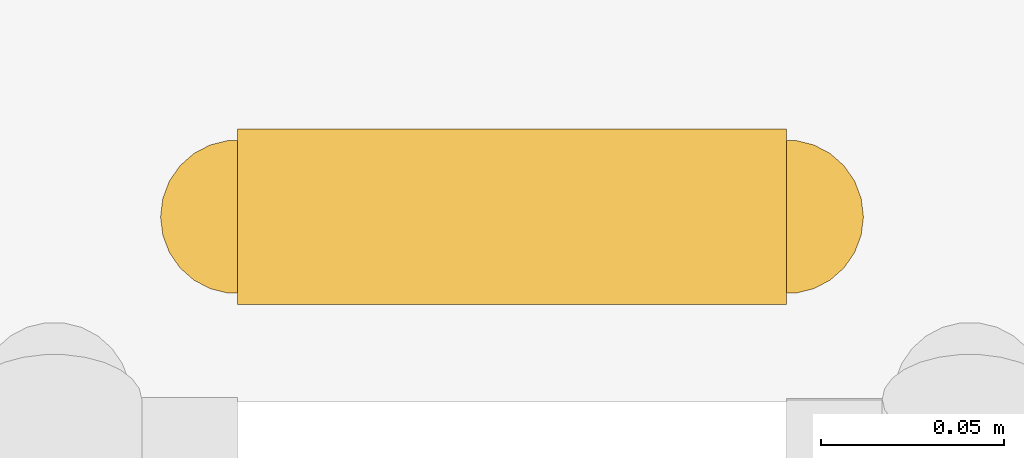
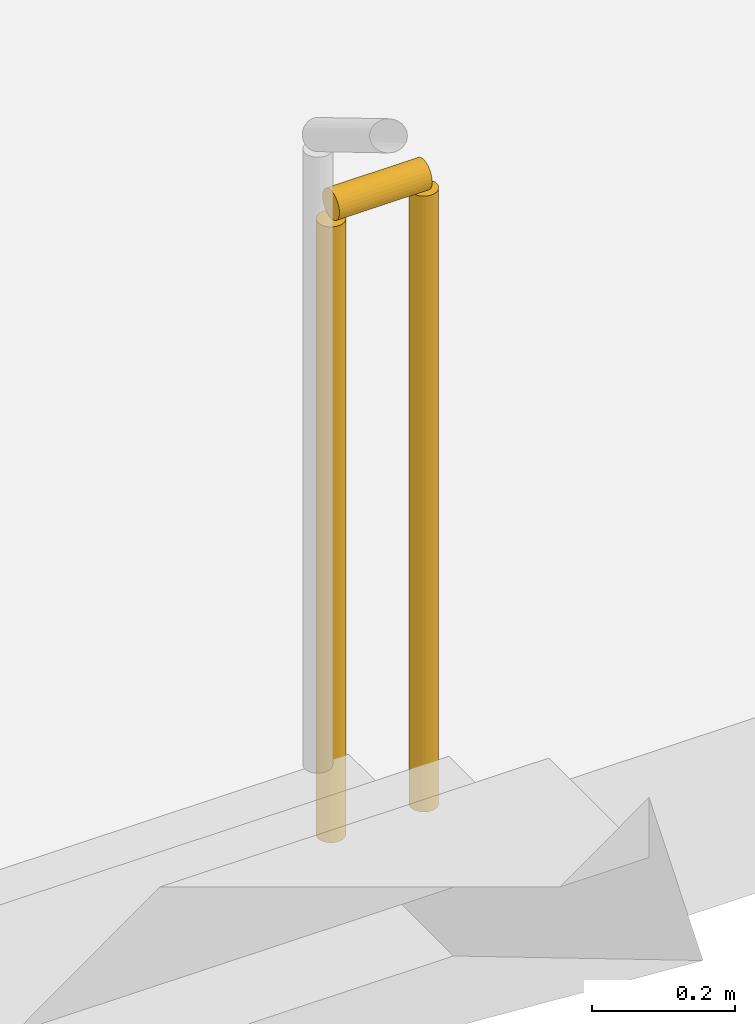
# One storey, part 32 of 32: 1 railing.
"""IFC4 building model written with IfcOpenShell, lengths in metres."""

import ifcopenshell
import ifcopenshell.guid

model = None  # the IFC model being written
_history = None  # IfcOwnerHistory: only IFC2X3 demands one
_inside = {}  # id of a spatial element -> (the spatial element, [elements in it])
_under = {}  # id of a project, library or spatial element -> (it, [spatial elements below it])
_declared = {}  # id of a project -> (the project, [libraries it declares])
_typed = {}  # id of a type object -> (the type object, [elements of that type])
_made_of = {}  # id of a material, layer set ... -> (it, [elements and type objects made of it])


def new_model(schema):
    """Start an empty IFC model of exactly this schema.

    Asked for "IFC4X3", IfcOpenShell would pick the latest addendum, in which some entities
    have other attributes; the version numbers below select the first issue.
    IFC2X3 requires an IfcOwnerHistory on every rooted entity: one is made here for all.
    """
    global model, _history
    if schema == "IFC4X3":
        model = ifcopenshell.file(schema_version=(4, 3, 0, 0))
    else:
        model = ifcopenshell.file(schema=schema)
    _inside.clear()
    _under.clear()
    _declared.clear()
    _typed.clear()
    _made_of.clear()
    _history = None
    if model.schema == "IFC2X3":
        org = make("IfcOrganization", Name="unknown")
        user = make(
            "IfcPersonAndOrganization",
            ThePerson=make("IfcPerson", FamilyName="unknown"),
            TheOrganization=org,
        )
        app = make(
            "IfcApplication",
            ApplicationDeveloper=org,
            Version="unknown",
            ApplicationFullName="unknown",
            ApplicationIdentifier="unknown",
        )
        _history = make(
            "IfcOwnerHistory",
            OwningUser=user,
            OwningApplication=app,
            ChangeAction="ADDED",
            CreationDate=0,
        )
    return model


def make(cls, **values):
    """One entity of the class cls with the attributes given. An attribute that is None is left unset."""
    return model.create_entity(
        cls, **{name: value for name, value in values.items() if value is not None}
    )


def rooted(cls, **values):
    """An entity with a GlobalId (a new one), such as an element, a storey or a relation."""
    return make(cls, GlobalId=ifcopenshell.guid.new(), OwnerHistory=_history, **values)


def si_unit(unit_type, name, prefix=None):
    """IfcSIUnit, for example si_unit("LENGTHUNIT", "METRE", prefix="MILLI")."""
    return make("IfcSIUnit", UnitType=unit_type, Prefix=prefix, Name=name)


def assignment(units):
    """IfcUnitAssignment: the units of a project."""
    return None if units is None else make("IfcUnitAssignment", Units=units)


def point(xyz):
    """IfcCartesianPoint."""
    return None if xyz is None else make("IfcCartesianPoint", Coordinates=xyz)


def direction(xyz):
    """IfcDirection."""
    return None if xyz is None else make("IfcDirection", DirectionRatios=xyz)


def frame(location, z_axis=None, x_axis=None):
    """IfcAxis2Placement3D, a coordinate frame: its origin and axes. An axis left out is left unset."""
    return make(
        "IfcAxis2Placement3D",
        Location=point(location),
        Axis=direction(z_axis),
        RefDirection=direction(x_axis),
    )


def frame_2d(location, x_axis=None):
    """IfcAxis2Placement2D, a coordinate frame in the plane: its origin and x axis."""
    return make(
        "IfcAxis2Placement2D", Location=point(location), RefDirection=direction(x_axis)
    )


def origin():
    """The frame at (0, 0, 0) with its axes left unset."""
    return frame((0.0, 0.0, 0.0))


def origin_2d():
    """The frame at (0, 0) in the plane with its x axis left unset."""
    return frame_2d((0.0, 0.0))


def place(relative_to, where):
    """IfcLocalPlacement: puts the frame where relative to a parent placement (None: the world)."""
    return make(
        "IfcLocalPlacement", PlacementRelTo=relative_to, RelativePlacement=where
    )


def context(
    kind, dimensions, precision=None, world=None, true_north=None, identifier=None
):
    """IfcGeometricRepresentationContext, for example the 3D "Model" context."""
    return make(
        "IfcGeometricRepresentationContext",
        ContextIdentifier=identifier,
        ContextType=kind,
        CoordinateSpaceDimension=dimensions,
        Precision=precision,
        WorldCoordinateSystem=world,
        TrueNorth=true_north,
    )


def subcontext(parent, identifier, kind, view, scale=None):
    """IfcGeometricRepresentationSubContext, for example "Body" below "Model"."""
    return make(
        "IfcGeometricRepresentationSubContext",
        ContextIdentifier=identifier,
        ContextType=kind,
        ParentContext=parent,
        TargetScale=scale,
        TargetView=view,
    )


def project(units=None, contexts=None):
    """IfcProject with its units and contexts."""
    return rooted(
        "IfcProject",
        Name="project",
        RepresentationContexts=contexts,
        UnitsInContext=assignment(units),
    )


def spatial(cls, under=None, at=None, **own):
    """A site, building, storey or space (cls), placed at a placement, below another one or the project."""
    s = rooted(cls, ObjectPlacement=at, **own)
    if under is not None:
        _under.setdefault(under.id(), (under, []))[1].append(s)
    return s


def profile(cls, at=None, kind="AREA", **sizes):
    """A parametric profile (cls). Its sizes go by their IFC names, for example OverallWidth=200.0."""
    return make(cls, ProfileType=kind, Position=at, **sizes)


def circle(**sizes):
    """IfcCircleProfileDef."""
    return profile("IfcCircleProfileDef", **sizes)


def extrude(swept, where, along, depth):
    """IfcExtrudedAreaSolid: the profile swept, set in the frame where, extruded along a direction by depth."""
    return make(
        "IfcExtrudedAreaSolid",
        SweptArea=swept,
        Position=where,
        ExtrudedDirection=direction(along),
        Depth=depth,
    )


def shape(context_of_items, identifier, shape_type, items):
    """IfcShapeRepresentation: the items that make up one representation, for example the "Body"."""
    return make(
        "IfcShapeRepresentation",
        ContextOfItems=context_of_items,
        RepresentationIdentifier=identifier,
        RepresentationType=shape_type,
        Items=items,
    )


def material(Name=None, Category=None):
    """IfcMaterial."""
    return make("IfcMaterial", Name=Name, Category=Category)


def made_of(thing, what):
    """Note that an element or type object is made of a material, layer set ...; save() writes the relation."""
    if what is not None:
        _made_of.setdefault(what.id(), (what, []))[1].append(thing)
    return thing


def type_object(cls, material=None, **own):
    """A type object (cls), such as IfcWallType, which elements share."""
    return made_of(rooted(cls, **own), material)


def element(
    cls,
    number,
    at=None,
    inside=None,
    cuts=None,
    type_object=None,
    material=None,
    context=None,
    identifier="Body",
    shape_type=None,
    held_by="IfcProductDefinitionShape",
    body=None,
    shapes=None,
    **own,
):
    """One element of the class cls, such as IfcWall. Its Tag is "e" and its number.

    at: its placement. inside: the storey or other place that contains it. cuts: it is an
    opening in that element (IfcRelVoidsElement). A single representation is given by context,
    identifier, shape_type and body (its items); several are given by shapes. held_by: the class
    of the entity that holds the representations. save() writes the other relations.
    """
    e = rooted(cls, Tag="e%d" % number, ObjectPlacement=at, **own)
    if body is not None:
        shapes = [shape(context, identifier, shape_type, body)]
    if shapes is not None:
        e.Representation = make(held_by, Representations=shapes)
    if inside is not None:
        _inside.setdefault(inside.id(), (inside, []))[1].append(e)
    if cuts is not None:
        rooted(
            "IfcRelVoidsElement", RelatingBuildingElement=cuts, RelatedOpeningElement=e
        )
    if type_object is not None:
        _typed.setdefault(type_object.id(), (type_object, []))[1].append(e)
    return made_of(e, material)


def aggregate(whole, parts):
    """IfcRelAggregates: a whole, such as a stair, and the parts it consists of."""
    return rooted("IfcRelAggregates", RelatingObject=whole, RelatedObjects=parts)


def save(model, path):
    """Write the relations noted so far, then the file.

    IfcRelAggregates (storeys below a building ...), IfcRelContainedInSpatialStructure (elements
    in a storey), IfcRelDefinesByType, IfcRelAssociatesMaterial and IfcRelDeclares: one each for
    every whole, place, type object, material and project.
    """
    for whole, parts in _under.values():
        aggregate(whole, parts)
    for where, things in _inside.values():
        rooted(
            "IfcRelContainedInSpatialStructure",
            RelatedElements=things,
            RelatingStructure=where,
        )
    for kind, things in _typed.values():
        rooted("IfcRelDefinesByType", RelatedObjects=things, RelatingType=kind)
    for what, things in _made_of.values():
        rooted("IfcRelAssociatesMaterial", RelatedObjects=things, RelatingMaterial=what)
    for by, libraries in _declared.values():
        rooted("IfcRelDeclares", RelatingContext=by, RelatedDefinitions=libraries)
    model.write(path)


model = new_model("IFC4")

# Units and contexts
model_context = context("Model", 3, precision=1e-05, world=origin(), true_north=direction((0.0, 1.0)))
body_context = subcontext(model_context, "Body", "Model", "MODEL_VIEW")
ifc_project = project(units=[si_unit("LENGTHUNIT", "METRE"), si_unit("AREAUNIT", "SQUARE_METRE"), si_unit("VOLUMEUNIT", "CUBIC_METRE"), si_unit("PLANEANGLEUNIT", "RADIAN"), si_unit("MASSUNIT", "GRAM", prefix="KILO")], contexts=[model_context])

# Site, building, storey
site_placement = place(None, origin())
site = spatial("IfcSite", under=ifc_project, at=site_placement, CompositionType="ELEMENT")
building_placement = place(site_placement, origin())
building = spatial("IfcBuilding", under=site, at=building_placement, Name="Tamorin Gate", CompositionType="ELEMENT")
storey_placement = place(building_placement, frame((0.0, 0.0, 13.5)))
storey = spatial("IfcBuildingStorey", under=building, at=storey_placement, Name="L02", CompositionType="ELEMENT", Elevation=13.5)

# Railing
ifc_material = material(Name="Steel, galvanised", Category="steel")
railing_type = type_object("IfcRailingType", Name="Steel guard 1100 museum", PredefinedType="GUARDRAIL", material=ifc_material)
railing_placement = place(storey_placement, frame((206.550048828125, 95.64990234375, 0.0)))
element("IfcRailing", 1, at=railing_placement, inside=storey, type_object=railing_type, Name="L02 PS9 stair guard 4", PredefinedType="GUARDRAIL", context=body_context, shape_type="SweptSolid", body=[
    extrude(circle(Radius=0.02392578125, at=origin_2d()), frame((0.0, 0.0, 1.076171875), z_axis=(1.0, 0.0, 0.0), x_axis=(0.0, 1.0, 0.0)), (0.0, 0.0, 1.0), 0.14990234375),
    extrude(circle(Radius=0.02099609375, at=origin_2d()), origin(), (0.0, 0.0, 1.0), 1.052001953125),
    extrude(circle(Radius=0.02099609375, at=origin_2d()), frame((0.14990234375, 0.0, 0.0)), (0.0, 0.0, 1.0), 1.052001953125),
])

save(model, "model.ifc")
